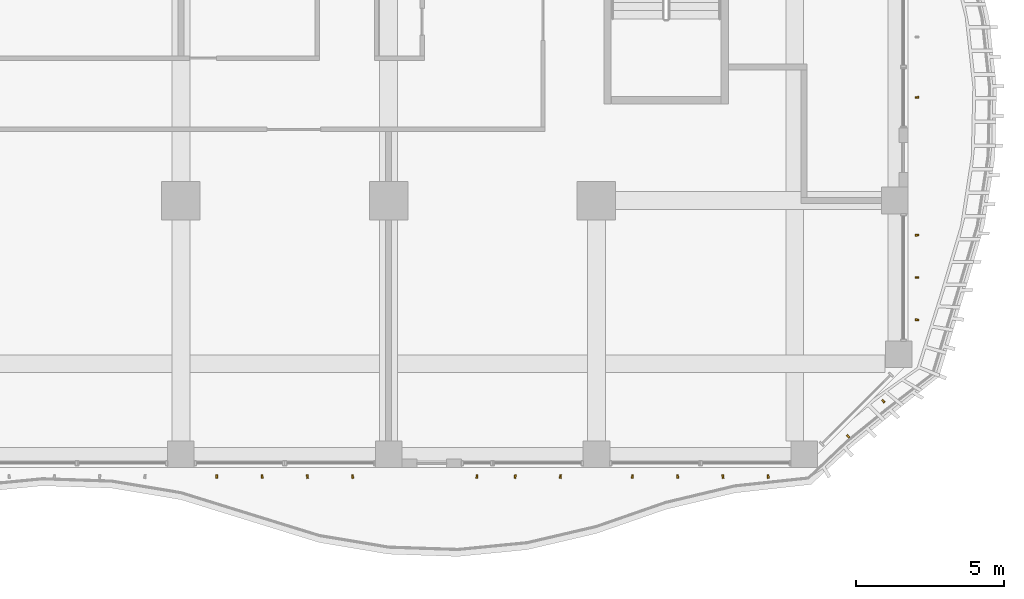
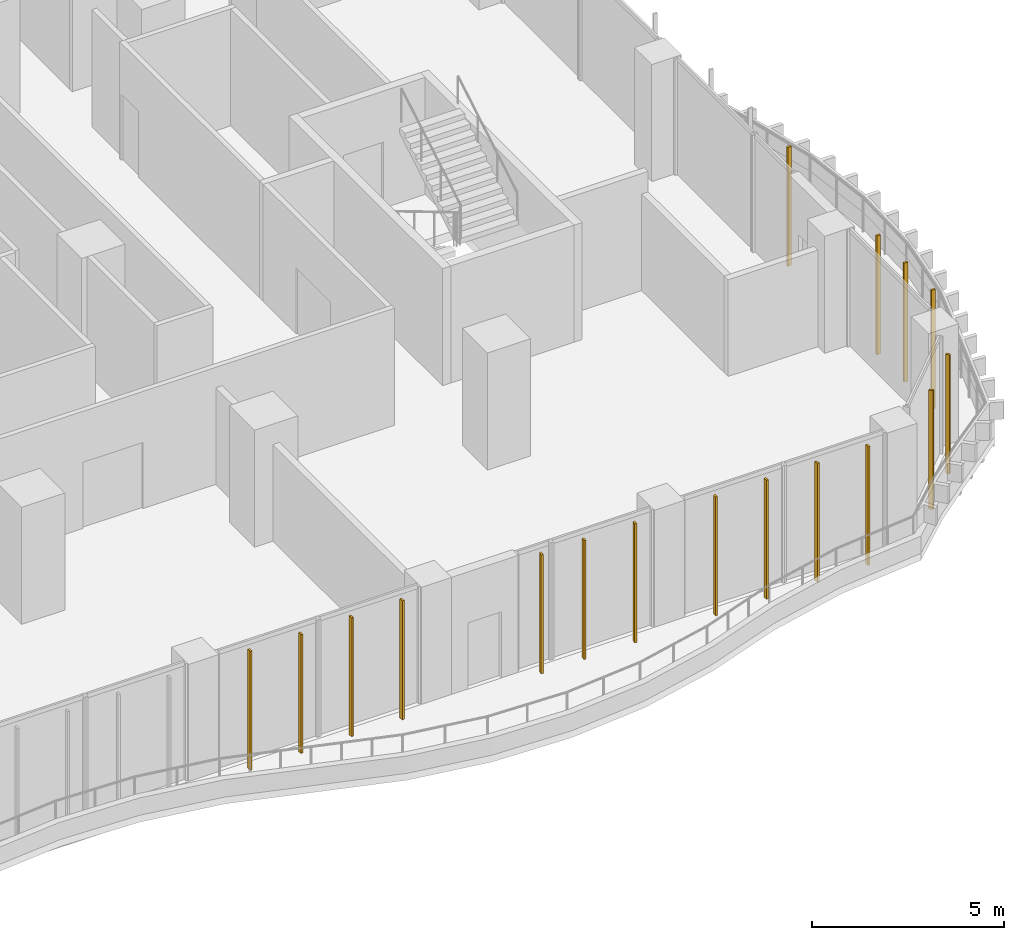
# One storey, part 22 of 27: 17 shading devices.
"""IFC4 building model written with IfcOpenShell, lengths in metres."""

import ifcopenshell
import ifcopenshell.guid

model = None  # the IFC model being written
_history = None  # IfcOwnerHistory: only IFC2X3 demands one
_inside = {}  # id of a spatial element -> (the spatial element, [elements in it])
_under = {}  # id of a project, library or spatial element -> (it, [spatial elements below it])
_declared = {}  # id of a project -> (the project, [libraries it declares])
_typed = {}  # id of a type object -> (the type object, [elements of that type])
_made_of = {}  # id of a material, layer set ... -> (it, [elements and type objects made of it])


def new_model(schema):
    """Start an empty IFC model of exactly this schema.

    Asked for "IFC4X3", IfcOpenShell would pick the latest addendum, in which some entities
    have other attributes; the version numbers below select the first issue.
    IFC2X3 requires an IfcOwnerHistory on every rooted entity: one is made here for all.
    """
    global model, _history
    if schema == "IFC4X3":
        model = ifcopenshell.file(schema_version=(4, 3, 0, 0))
    else:
        model = ifcopenshell.file(schema=schema)
    _inside.clear()
    _under.clear()
    _declared.clear()
    _typed.clear()
    _made_of.clear()
    _history = None
    if model.schema == "IFC2X3":
        org = make("IfcOrganization", Name="unknown")
        user = make(
            "IfcPersonAndOrganization",
            ThePerson=make("IfcPerson", FamilyName="unknown"),
            TheOrganization=org,
        )
        app = make(
            "IfcApplication",
            ApplicationDeveloper=org,
            Version="unknown",
            ApplicationFullName="unknown",
            ApplicationIdentifier="unknown",
        )
        _history = make(
            "IfcOwnerHistory",
            OwningUser=user,
            OwningApplication=app,
            ChangeAction="ADDED",
            CreationDate=0,
        )
    return model


def make(cls, **values):
    """One entity of the class cls with the attributes given. An attribute that is None is left unset."""
    return model.create_entity(
        cls, **{name: value for name, value in values.items() if value is not None}
    )


def rooted(cls, **values):
    """An entity with a GlobalId (a new one), such as an element, a storey or a relation."""
    return make(cls, GlobalId=ifcopenshell.guid.new(), OwnerHistory=_history, **values)


def si_unit(unit_type, name, prefix=None):
    """IfcSIUnit, for example si_unit("LENGTHUNIT", "METRE", prefix="MILLI")."""
    return make("IfcSIUnit", UnitType=unit_type, Prefix=prefix, Name=name)


def assignment(units):
    """IfcUnitAssignment: the units of a project."""
    return None if units is None else make("IfcUnitAssignment", Units=units)


def point(xyz):
    """IfcCartesianPoint."""
    return None if xyz is None else make("IfcCartesianPoint", Coordinates=xyz)


def direction(xyz):
    """IfcDirection."""
    return None if xyz is None else make("IfcDirection", DirectionRatios=xyz)


def frame(location, z_axis=None, x_axis=None):
    """IfcAxis2Placement3D, a coordinate frame: its origin and axes. An axis left out is left unset."""
    return make(
        "IfcAxis2Placement3D",
        Location=point(location),
        Axis=direction(z_axis),
        RefDirection=direction(x_axis),
    )


def frame_2d(location, x_axis=None):
    """IfcAxis2Placement2D, a coordinate frame in the plane: its origin and x axis."""
    return make(
        "IfcAxis2Placement2D", Location=point(location), RefDirection=direction(x_axis)
    )


def origin():
    """The frame at (0, 0, 0) with its axes left unset."""
    return frame((0.0, 0.0, 0.0))


def origin_2d():
    """The frame at (0, 0) in the plane with its x axis left unset."""
    return frame_2d((0.0, 0.0))


def place(relative_to, where):
    """IfcLocalPlacement: puts the frame where relative to a parent placement (None: the world)."""
    return make(
        "IfcLocalPlacement", PlacementRelTo=relative_to, RelativePlacement=where
    )


def context(
    kind, dimensions, precision=None, world=None, true_north=None, identifier=None
):
    """IfcGeometricRepresentationContext, for example the 3D "Model" context."""
    return make(
        "IfcGeometricRepresentationContext",
        ContextIdentifier=identifier,
        ContextType=kind,
        CoordinateSpaceDimension=dimensions,
        Precision=precision,
        WorldCoordinateSystem=world,
        TrueNorth=true_north,
    )


def subcontext(parent, identifier, kind, view, scale=None):
    """IfcGeometricRepresentationSubContext, for example "Body" below "Model"."""
    return make(
        "IfcGeometricRepresentationSubContext",
        ContextIdentifier=identifier,
        ContextType=kind,
        ParentContext=parent,
        TargetScale=scale,
        TargetView=view,
    )


def project(units=None, contexts=None):
    """IfcProject with its units and contexts."""
    return rooted(
        "IfcProject",
        Name="project",
        RepresentationContexts=contexts,
        UnitsInContext=assignment(units),
    )


def spatial(cls, under=None, at=None, **own):
    """A site, building, storey or space (cls), placed at a placement, below another one or the project."""
    s = rooted(cls, ObjectPlacement=at, **own)
    if under is not None:
        _under.setdefault(under.id(), (under, []))[1].append(s)
    return s


def profile(cls, at=None, kind="AREA", **sizes):
    """A parametric profile (cls). Its sizes go by their IFC names, for example OverallWidth=200.0."""
    return make(cls, ProfileType=kind, Position=at, **sizes)


def rectangle(**sizes):
    """IfcRectangleProfileDef."""
    return profile("IfcRectangleProfileDef", **sizes)


def extrude(swept, where, along, depth):
    """IfcExtrudedAreaSolid: the profile swept, set in the frame where, extruded along a direction by depth."""
    return make(
        "IfcExtrudedAreaSolid",
        SweptArea=swept,
        Position=where,
        ExtrudedDirection=direction(along),
        Depth=depth,
    )


def shape(context_of_items, identifier, shape_type, items):
    """IfcShapeRepresentation: the items that make up one representation, for example the "Body"."""
    return make(
        "IfcShapeRepresentation",
        ContextOfItems=context_of_items,
        RepresentationIdentifier=identifier,
        RepresentationType=shape_type,
        Items=items,
    )


def source(mapping_origin, context_of_items, identifier, shape_type, items):
    """IfcRepresentationMap: a shape defined once, which mapped items show again and again."""
    return make(
        "IfcRepresentationMap",
        MappingOrigin=mapping_origin,
        MappedRepresentation=shape(context_of_items, identifier, shape_type, items),
    )


def transform(
    local_origin,
    x_axis=None,
    y_axis=None,
    z_axis=None,
    scale=None,
    scale2=None,
    scale3=None,
    uniform=True,
):
    """IfcCartesianTransformationOperator3D, or its non-uniform kind. x_axis, y_axis, z_axis: its Axis1, 2, 3."""
    if uniform:
        return make(
            "IfcCartesianTransformationOperator3D",
            Axis1=direction(x_axis),
            Axis2=direction(y_axis),
            LocalOrigin=point(local_origin),
            Scale=scale,
            Axis3=direction(z_axis),
        )
    return make(
        "IfcCartesianTransformationOperator3DnonUniform",
        Axis1=direction(x_axis),
        Axis2=direction(y_axis),
        LocalOrigin=point(local_origin),
        Scale=scale,
        Axis3=direction(z_axis),
        Scale2=scale2,
        Scale3=scale3,
    )


def mapped(mapping_source, mapping_target):
    """IfcMappedItem: shows the shape of a source again, moved by a transform."""
    return make(
        "IfcMappedItem", MappingSource=mapping_source, MappingTarget=mapping_target
    )


def material(Name=None, Category=None):
    """IfcMaterial."""
    return make("IfcMaterial", Name=Name, Category=Category)


def material_profile(
    of_material, cross_section, Name=None, Category=None, Priority=None
):
    """IfcMaterialProfile: a cross section and its material."""
    return make(
        "IfcMaterialProfile",
        Name=Name,
        Material=of_material,
        Profile=cross_section,
        Priority=Priority,
        Category=Category,
    )


def profile_set(profiles, Name=None, composite=None):
    """IfcMaterialProfileSet."""
    return make(
        "IfcMaterialProfileSet",
        Name=Name,
        MaterialProfiles=profiles,
        CompositeProfile=composite,
    )


def made_of(thing, what):
    """Note that an element or type object is made of a material, layer set ...; save() writes the relation."""
    if what is not None:
        _made_of.setdefault(what.id(), (what, []))[1].append(thing)
    return thing


def type_object(cls, material=None, **own):
    """A type object (cls), such as IfcWallType, which elements share."""
    return made_of(rooted(cls, **own), material)


def element(
    cls,
    number,
    at=None,
    inside=None,
    cuts=None,
    type_object=None,
    material=None,
    context=None,
    identifier="Body",
    shape_type=None,
    held_by="IfcProductDefinitionShape",
    body=None,
    shapes=None,
    **own,
):
    """One element of the class cls, such as IfcWall. Its Tag is "e" and its number.

    at: its placement. inside: the storey or other place that contains it. cuts: it is an
    opening in that element (IfcRelVoidsElement). A single representation is given by context,
    identifier, shape_type and body (its items); several are given by shapes. held_by: the class
    of the entity that holds the representations. save() writes the other relations.
    """
    e = rooted(cls, Tag="e%d" % number, ObjectPlacement=at, **own)
    if body is not None:
        shapes = [shape(context, identifier, shape_type, body)]
    if shapes is not None:
        e.Representation = make(held_by, Representations=shapes)
    if inside is not None:
        _inside.setdefault(inside.id(), (inside, []))[1].append(e)
    if cuts is not None:
        rooted(
            "IfcRelVoidsElement", RelatingBuildingElement=cuts, RelatedOpeningElement=e
        )
    if type_object is not None:
        _typed.setdefault(type_object.id(), (type_object, []))[1].append(e)
    return made_of(e, material)


def aggregate(whole, parts):
    """IfcRelAggregates: a whole, such as a stair, and the parts it consists of."""
    return rooted("IfcRelAggregates", RelatingObject=whole, RelatedObjects=parts)


def save(model, path):
    """Write the relations noted so far, then the file.

    IfcRelAggregates (storeys below a building ...), IfcRelContainedInSpatialStructure (elements
    in a storey), IfcRelDefinesByType, IfcRelAssociatesMaterial and IfcRelDeclares: one each for
    every whole, place, type object, material and project.
    """
    for whole, parts in _under.values():
        aggregate(whole, parts)
    for where, things in _inside.values():
        rooted(
            "IfcRelContainedInSpatialStructure",
            RelatedElements=things,
            RelatingStructure=where,
        )
    for kind, things in _typed.values():
        rooted("IfcRelDefinesByType", RelatedObjects=things, RelatingType=kind)
    for what, things in _made_of.values():
        rooted("IfcRelAssociatesMaterial", RelatedObjects=things, RelatingMaterial=what)
    for by, libraries in _declared.values():
        rooted("IfcRelDeclares", RelatingContext=by, RelatedDefinitions=libraries)
    model.write(path)


model = new_model("IFC4")

# Units and contexts
model_context = context("Model", 3, precision=1e-05, world=origin(), true_north=direction((0.0, 1.0)))
body_context = subcontext(model_context, "Body", "Model", "MODEL_VIEW")
ifc_project = project(units=[si_unit("LENGTHUNIT", "METRE"), si_unit("AREAUNIT", "SQUARE_METRE"), si_unit("VOLUMEUNIT", "CUBIC_METRE"), si_unit("PLANEANGLEUNIT", "RADIAN"), si_unit("MASSUNIT", "GRAM", prefix="KILO")], contexts=[model_context])

# Site, building, storey
site_placement = place(None, origin())
site = spatial("IfcSite", under=ifc_project, at=site_placement, CompositionType="ELEMENT")
building_placement = place(site_placement, origin())
building = spatial("IfcBuilding", under=site, at=building_placement, Name="Kilnfold Tower and Market Hall", CompositionType="ELEMENT")
storey_placement = place(building_placement, frame((0.0, 0.0, 43.0)))
storey = spatial("IfcBuildingStorey", under=building, at=storey_placement, Name="L09", CompositionType="ELEMENT", Elevation=43.0)

# Shading devices
ifc_material = material(Name="Terracotta", Category="masonry")
ifc_material_profile = material_profile(ifc_material, rectangle(XDim=0.06005859375, YDim=0.1201171875, at=origin_2d()), Name="BAG 60x120")
ifc_profile_set = profile_set([ifc_material_profile], Name="Terracotta")
shading_device_type = type_object("IfcShadingDeviceType", Name="BAGUETTE", PredefinedType="USERDEFINED", material=ifc_profile_set)
shared_shape = source(origin(), body_context, "Body", "SweptSolid", [
    extrude(rectangle(XDim=0.06005859375, YDim=0.1201171875, at=origin_2d()), origin(), (0.0, 0.0, 1.0), 3.780029296875),
])
for number, where, z_axis, x_axis, name in (
    (1, (4.71240234375, -28.300048828125, 0.0), (0.0, 0.0, 1.0), (0.999958498601, -0.009110492661, 0.0), "Terracotta baguette L09 S"),
    (2, (6.237548828125, -28.300048828125, 0.0), (0.0, 0.0, 1.0), (0.996719115491, 0.080938277815, 0.0), "Terracotta baguette L09 S"),
    (3, (7.762451171875, -28.300048828125, 0.0), (0.0, 0.0, 1.0), (0.990945745074, 0.134262914905, 0.0), "Terracotta baguette L09 S"),
    (4, (9.28759765625, -28.300048828125, 0.0), (0.0, 0.0, 1.0), (0.991863365239, 0.12730697034, 0.0), "Terracotta baguette L09 S"),
    (5, (13.47509765625, -28.300048828125, 0.0), (0.0, 0.0, 1.0), (0.995709691879, -0.092532207901, 0.0), "Terracotta baguette L09 S"),
    (6, (14.762451171875, -28.300048828125, 0.0), (0.0, 0.0, 1.0), (0.990945745074, -0.134262914905, 0.0), "Terracotta baguette L09 S"),
    (7, (16.28759765625, -28.300048828125, 0.0), (0.0, 0.0, 1.0), (0.991863365239, -0.12730697034, 0.0), "Terracotta baguette L09 S"),
    (8, (18.71240234375, -28.300048828125, 0.0), (0.0, 0.0, 1.0), (0.999958498601, -0.009110492661, 0.0), "Terracotta baguette L09 S"),
    (9, (20.237548828125, -28.300048828125, 0.0), (0.0, 0.0, 1.0), (0.996719115491, 0.080938277815, 0.0), "Terracotta baguette L09 S"),
    (10, (21.762451171875, -28.300048828125, 0.0), (0.0, 0.0, 1.0), (0.990945745074, 0.134262914905, 0.0), "Terracotta baguette L09 S"),
    (11, (23.28759765625, -28.300048828125, 0.0), (0.0, 0.0, 1.0), (0.991863365239, 0.12730697034, 0.0), "Terracotta baguette L09 S"),
    (12, (25.98095703125, -26.943359375, 0.0), (0.0, 0.0, 1.0), (0.726052812258, 0.68763894146, 0.0), "Terracotta baguette L09 SE"),
    (13, (27.16845703125, -25.755859375, 0.0), (0.0, 0.0, 1.0), (0.782663564895, 0.622444972817, 0.0), "Terracotta baguette L09 SE"),
    (14, (28.300048828125, -23.018310546875, 0.0), (0.0, 0.0, 1.0), (0.106031518521, 0.994362769355, 0.0), "Terracotta baguette L09 E"),
    (15, (28.300048828125, -21.5908203125, 0.0), (0.0, 0.0, 1.0), (0.031013017889, 0.999518980671, 0.0), "Terracotta baguette L09 E"),
    (16, (28.300048828125, -20.16357421875, 0.0), (0.0, 0.0, 1.0), (-0.056462773132, 0.998404705142, 0.0), "Terracotta baguette L09 E"),
    (17, (28.300048828125, -15.52490234375, 0.0), (0.0, 0.0, 1.0), (-0.083648276757, 0.996495341582, 0.0), "Terracotta baguette L09 E"),
):
    element("IfcShadingDevice", number, at=place(storey_placement, frame(where, z_axis=z_axis, x_axis=x_axis)), inside=storey, type_object=shading_device_type, Name=name, ObjectType="BAGUETTE", PredefinedType="USERDEFINED", context=body_context, shape_type="MappedRepresentation", body=[
        mapped(shared_shape, transform((0.0, 0.0, 0.0))),
    ])

save(model, "model.ifc")
